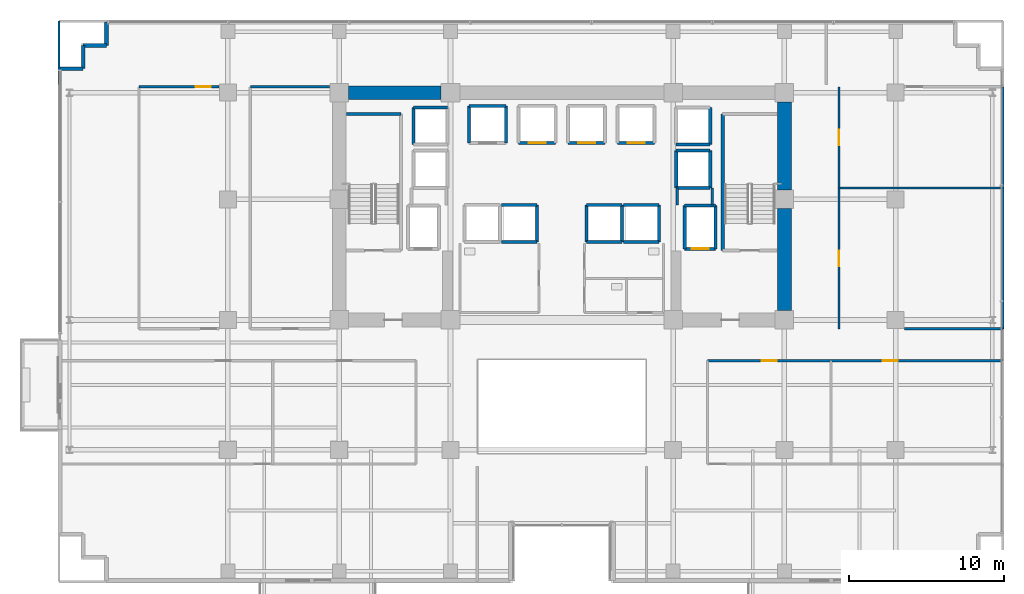
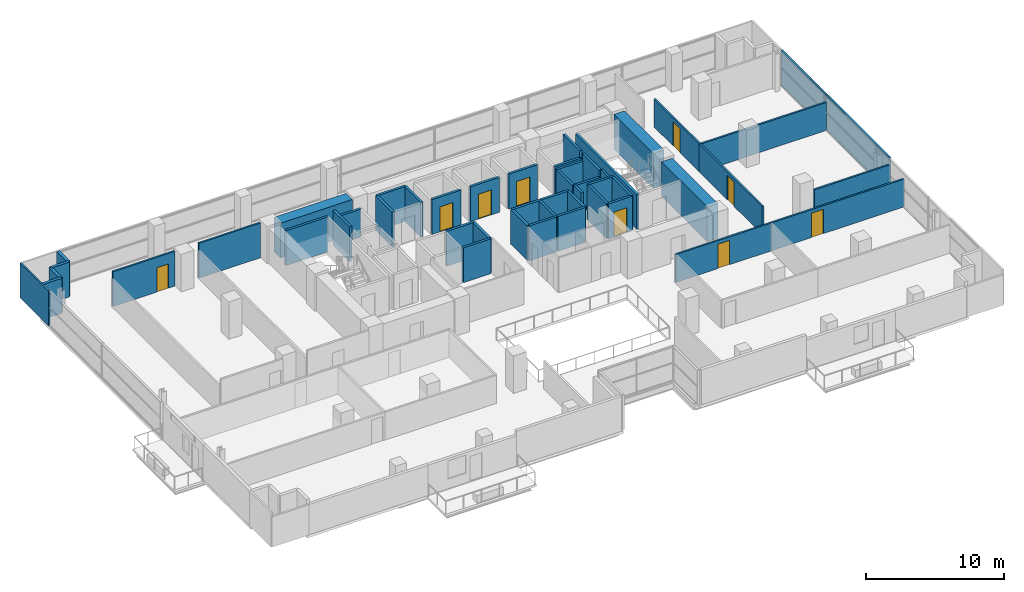
# One storey, part 25 of 30: 50 walls, 9 doors, 9 openings.
"""IFC4 building model written with IfcOpenShell, lengths in metres."""

from ifc_helpers import new_model, si_unit, direction, frame, frame_2d, origin, place, context, subcontext, project, spatial, rectangle, extrude, source, transform, mapped, material, layer, layer_set, type_object, element, fill, save


model = new_model("IFC4")

# Units and contexts
model_context = context("Model", 3, precision=1e-05, world=origin(), true_north=direction((0.0, 1.0)))
body_context = subcontext(model_context, "Body", "Model", "MODEL_VIEW")
ifc_project = project(units=[si_unit("LENGTHUNIT", "METRE"), si_unit("AREAUNIT", "SQUARE_METRE"), si_unit("VOLUMEUNIT", "CUBIC_METRE"), si_unit("PLANEANGLEUNIT", "RADIAN"), si_unit("MASSUNIT", "GRAM", prefix="KILO")], contexts=[model_context])

# Site, building, storey
site_placement = place(None, origin())
site = spatial("IfcSite", under=ifc_project, at=site_placement, CompositionType="ELEMENT")
building_placement = place(site_placement, origin())
building = spatial("IfcBuilding", under=site, at=building_placement, Name="Zarnakvel Exchange Tower", CompositionType="ELEMENT")
storey_placement = place(building_placement, frame((0.0, 0.0, 34.0)))
storey = spatial("IfcBuildingStorey", under=building, at=storey_placement, Name="L08", CompositionType="ELEMENT", Elevation=34.0)

# Walls
ifc_material_1 = material(Name="Concrete C80/95", Category="concrete")
ifc_layer_1 = layer(ifc_material_1, 0.89990234375)
ifc_layer_set_1 = layer_set([ifc_layer_1], Name="Concrete C80/95")
wall_type_1 = type_object("IfcWallType", Name="CW-C1", PredefinedType="SHEAR", material=ifc_layer_set_1)
wall_1_placement = place(storey_placement, frame((-13.800048828125, 13.5, 0.0), z_axis=(0.0, 0.0, 1.0), x_axis=(1.0, 0.0, 0.0)))
element("IfcWall", 1, at=wall_1_placement, inside=storey, type_object=wall_type_1, Name="L08 Rear Core Shear Wall N1 (CW-C1)", PredefinedType="SHEAR", context=body_context, shape_type="SweptSolid", body=[
    extrude(rectangle(XDim=6.0, YDim=0.89990234375, at=frame_2d((3.0, 0.0))), origin(), (0.0, 0.0, 1.0), 3.074951171875),
])
wall_2_placement = place(storey_placement, frame((14.39990234375, -0.60009765625, 0.0), z_axis=(0.0, 0.0, 1.0), x_axis=(0.0, 1.0, 0.0)))
element("IfcWall", 2, at=wall_2_placement, inside=storey, type_object=wall_type_1, Name="L08 Rear Core Shear Wall E1 (CW-C1)", PredefinedType="SHEAR", context=body_context, shape_type="SweptSolid", body=[
    extrude(rectangle(XDim=6.60009765625, YDim=0.89990234375, at=frame_2d((3.300048828125, 0.0))), origin(), (0.0, 0.0, 1.0), 3.074951171875),
])
wall_3_placement = place(storey_placement, frame((14.39990234375, 7.199951171875, 0.0), z_axis=(0.0, 0.0, 1.0), x_axis=(0.0, 1.0, 0.0)))
element("IfcWall", 3, at=wall_3_placement, inside=storey, type_object=wall_type_1, Name="L08 Rear Core Shear Wall E2 (CW-C1)", PredefinedType="SHEAR", context=body_context, shape_type="SweptSolid", body=[
    extrude(rectangle(XDim=5.699951171875, YDim=0.89990234375, at=frame_2d((2.85009765625, 0.0))), origin(), (0.0, 0.0, 1.0), 3.074951171875),
])
ifc_material_2 = material(Name="Precast concrete C40/50", Category="concrete")
ifc_layer_2 = layer(ifc_material_2, 0.239990234375)
ifc_layer_set_2 = layer_set([ifc_layer_2], Name="Precast concrete C40/50")
wall_type_2 = type_object("IfcWallType", Name="EW-02", PredefinedType="SOLIDWALL", material=ifc_layer_set_2)
for number, where, z_axis, x_axis, name in (
    (4, (-30.9599609375, 15.06005859375, 0.0), (0.0, 0.0, 1.0), (-1.0, 0.0, 0.0), "L08 Exterior Precast Spandrel Wall EWC-L08-03 (EW-02)"),
    (5, (-30.9599609375, 16.56005859375, 0.0), (0.0, 0.0, 1.0), (0.0, -1.0, 0.0), "L08 Exterior Precast Spandrel Wall EWC-L08-04 (EW-02)"),
    (6, (-29.4599609375, 16.56005859375, 0.0), (0.0, 0.0, 1.0), (-1.0, 0.0, 0.0), "L08 Exterior Precast Spandrel Wall EWC-L08-05 (EW-02)"),
    (7, (-29.4599609375, 18.06005859375, 0.0), (0.0, 0.0, 1.0), (0.0, -1.0, 0.0), "L08 Exterior Precast Spandrel Wall EWC-L08-06 (EW-02)"),
):
    element("IfcWall", number, at=place(storey_placement, frame(where, z_axis=z_axis, x_axis=x_axis)), inside=storey, type_object=wall_type_2, Name=name, PredefinedType="SOLIDWALL", context=body_context, shape_type="SweptSolid", body=[
        extrude(rectangle(XDim=1.5, YDim=0.239990234375, at=frame_2d((0.75, 0.0))), origin(), (0.0, 0.0, 1.0), 3.074951171875),
    ])

# Wall, opening, door
ifc_material_3 = material(Name="Fire-Rated Gypsum Stud Partition", Category="gypsum")
ifc_layer_3 = layer(ifc_material_3, 0.14990234375)
ifc_layer_set_3 = layer_set([ifc_layer_3], Name="Fire-Rated Gypsum Stud Partition")
wall_type_3 = type_object("IfcWallType", Name="PT-01", PredefinedType="PARTITIONING", material=ifc_layer_set_3)
wall_4_placement = place(storey_placement, frame((9.429931640625, -3.830078125, 0.0), z_axis=(0.0, 0.0, 1.0), x_axis=(1.0, 0.0, 0.0)))
wall_4 = element("IfcWall", 8, at=wall_4_placement, inside=storey, type_object=wall_type_3, Name="L08 Partition Wall PWALL-L08-033 (PT-01)", PredefinedType="PARTITIONING", context=body_context, shape_type="SweptSolid", body=[
    extrude(rectangle(XDim=7.985107421875, YDim=0.14990234375, at=frame_2d((3.99267578125, 0.0))), origin(), (0.0, 0.0, 1.0), 2.465087890625),
])
opening_1_placement = place(wall_4_placement, frame((3.501953125, 0.0, 0.0)))
opening_1 = element("IfcOpeningElement", 9, at=opening_1_placement, cuts=wall_4, Name="Opening D-L08-12", PredefinedType="OPENING", context=body_context, shape_type="SweptSolid", body=[
    extrude(rectangle(XDim=0.97998046875, YDim=2.14990234375, at=frame_2d((0.489990234375, 1.074951171875))), frame((0.0, 0.0849609375, 0.0), z_axis=(0.0, -1.0, 0.0), x_axis=(1.0, 0.0, 0.0)), (0.0, 0.0, 1.0), 0.169921875),
])
ifc_material_4 = material(Name="Timber Acoustic Veneer", Category="wood")
door_type_1 = type_object("IfcDoorType", Name="DT-05", OperationType="NOTDEFINED", PredefinedType="DOOR", material=ifc_material_4)
shared_shape_1 = source(origin(), body_context, "Body", "SweptSolid", [
    extrude(rectangle(XDim=0.97998046875, YDim=2.14990234375, at=frame_2d((0.489990234375, 1.074951171875))), frame((0.0, 0.02490234375, 0.0), z_axis=(0.0, -1.0, 0.0), x_axis=(1.0, 0.0, 0.0)), (0.0, 0.0, 1.0), 0.050048828125),
])
door_1_placement = place(opening_1_placement, origin())
door_1 = element("IfcDoor", 10, at=door_1_placement, inside=storey, type_object=door_type_1, Name="L08 Executive Office Door D-L08-12", OperationType="SINGLE_SWING_RIGHT", OverallHeight=2.14990234375, OverallWidth=0.97998046875, PredefinedType="DOOR", context=body_context, shape_type="MappedRepresentation", body=[
    mapped(shared_shape_1, transform((0.0, 0.0, 0.0), x_axis=(1.0, 0.0, 0.0), y_axis=(0.0, 1.0, 0.0), z_axis=(0.0, 0.0, 1.0), scale=1.0)),
])
fill(opening_1, door_1)

wall_5_placement = place(storey_placement, frame((17.4150390625, -3.830078125, 0.0), z_axis=(0.0, 0.0, 1.0), x_axis=(1.0, 0.0, 0.0)))
wall_5 = element("IfcWall", 11, at=wall_5_placement, inside=storey, type_object=wall_type_3, Name="L08 Partition Wall PWALL-L08-037 (PT-01)", PredefinedType="PARTITIONING", context=body_context, shape_type="SweptSolid", body=[
    extrude(rectangle(XDim=11.114990234375, YDim=0.14990234375, at=frame_2d((5.5576171875, 0.0))), origin(), (0.0, 0.0, 1.0), 2.465087890625),
])
opening_2_placement = place(wall_5_placement, frame((3.343017578125, 0.0, 0.0)))
opening_2 = element("IfcOpeningElement", 12, at=opening_2_placement, cuts=wall_5, Name="Opening D-L08-13", PredefinedType="OPENING", context=body_context, shape_type="SweptSolid", body=[
    extrude(rectangle(XDim=0.97998046875, YDim=2.14990234375, at=frame_2d((0.489990234375, 1.074951171875))), frame((0.0, 0.0849609375, 0.0), z_axis=(0.0, -1.0, 0.0), x_axis=(1.0, 0.0, 0.0)), (0.0, 0.0, 1.0), 0.169921875),
])
door_2_placement = place(opening_2_placement, origin())
door_2 = element("IfcDoor", 13, at=door_2_placement, inside=storey, type_object=door_type_1, Name="L08 Meeting Room Door D-L08-13", OperationType="SINGLE_SWING_LEFT", OverallHeight=2.14990234375, OverallWidth=0.97998046875, PredefinedType="DOOR", context=body_context, shape_type="MappedRepresentation", body=[
    mapped(shared_shape_1, transform((0.0, 0.0, 0.0), x_axis=(1.0, 0.0, 0.0), y_axis=(0.0, 1.0, 0.0), z_axis=(0.0, 0.0, 1.0), scale=1.0)),
])
fill(opening_2, door_2)

wall_6_placement = place(storey_placement, frame((-27.346435546875, 13.8798828125, 0.0), z_axis=(0.0, 0.0, 1.0), x_axis=(1.0, 0.0, 0.0)))
wall_6 = element("IfcWall", 14, at=wall_6_placement, inside=storey, type_object=wall_type_3, Name="L08 Partition Wall PWALL-L08-043 (PT-01)", PredefinedType="PARTITIONING", context=body_context, shape_type="SweptSolid", body=[
    extrude(rectangle(XDim=5.176513671875, YDim=0.14990234375, at=frame_2d((2.58837890625, 0.0))), origin(), (0.0, 0.0, 1.0), 3.074951171875),
])
opening_3_placement = place(wall_6_placement, frame((3.66650390625, 0.0, 0.0)))
opening_3 = element("IfcOpeningElement", 15, at=opening_3_placement, cuts=wall_6, Name="Opening D-L08-19", PredefinedType="OPENING", context=body_context, shape_type="SweptSolid", body=[
    extrude(rectangle(XDim=0.97998046875, YDim=2.14990234375, at=frame_2d((0.489990234375, 1.074951171875))), frame((0.0, 0.0849609375, 0.0), z_axis=(0.0, -1.0, 0.0), x_axis=(1.0, 0.0, 0.0)), (0.0, 0.0, 1.0), 0.169921875),
])
door_3_placement = place(opening_3_placement, origin())
door_3 = element("IfcDoor", 16, at=door_3_placement, inside=storey, type_object=door_type_1, Name="L08 Settlement Office Door D-L08-19", OperationType="SINGLE_SWING_LEFT", OverallHeight=2.14990234375, OverallWidth=0.97998046875, PredefinedType="DOOR", context=body_context, shape_type="MappedRepresentation", body=[
    mapped(shared_shape_1, transform((0.0, 0.0, 0.0), x_axis=(1.0, 0.0, 0.0), y_axis=(0.0, 1.0, 0.0), z_axis=(0.0, 0.0, 1.0), scale=1.0)),
])
fill(opening_3, door_3)

# Walls
wall_7_placement = place(storey_placement, frame((-20.153564453125, 13.8798828125, 0.0), z_axis=(0.0, 0.0, 1.0), x_axis=(1.0, 0.0, 0.0)))
element("IfcWall", 17, at=wall_7_placement, inside=storey, type_object=wall_type_3, Name="L08 Partition Wall PWALL-L08-047 (PT-01)", PredefinedType="PARTITIONING", context=body_context, shape_type="SweptSolid", body=[
    extrude(rectangle(XDim=5.133544921875, YDim=0.14990234375, at=frame_2d((2.56689453125, 0.0))), origin(), (0.0, 0.0, 1.0), 3.074951171875),
])
wall_8_placement = place(storey_placement, frame((28.530029296875, -1.77001953125, 0.0), z_axis=(0.0, 0.0, 1.0), x_axis=(-1.0, 0.0, 0.0)))
element("IfcWall", 18, at=wall_8_placement, inside=storey, type_object=wall_type_3, Name="L08 Partition Wall PWALL-L08-048 (PT-01)", PredefinedType="PARTITIONING", context=body_context, shape_type="SweptSolid", body=[
    extrude(rectangle(XDim=6.360107421875, YDim=0.14990234375, at=frame_2d((3.18017578125, 0.0))), origin(), (0.0, 0.0, 1.0), 2.465087890625),
])
wall_9_placement = place(storey_placement, frame((17.929931640625, 7.33251953125, 0.0), z_axis=(0.0, 0.0, 1.0), x_axis=(1.0, 0.0, 0.0)))
element("IfcWall", 19, at=wall_9_placement, inside=storey, type_object=wall_type_3, Name="L08 Partition Wall PWALL-L08-049 (PT-01)", PredefinedType="PARTITIONING", context=body_context, shape_type="SweptSolid", body=[
    extrude(rectangle(XDim=10.60009765625, YDim=0.14990234375, at=frame_2d((5.300048828125, 0.0))), origin(), (0.0, 0.0, 1.0), 2.465087890625),
])

# Wall, opening, door
wall_10_placement = place(storey_placement, frame((17.929931640625, -1.77001953125, 0.0), z_axis=(0.0, 0.0, 1.0), x_axis=(0.0, 1.0, 0.0)))
wall_10 = element("IfcWall", 20, at=wall_10_placement, inside=storey, type_object=wall_type_3, Name="L08 Partition Wall PWALL-L08-050 (PT-01)", PredefinedType="PARTITIONING", context=body_context, shape_type="SweptSolid", body=[
    extrude(rectangle(XDim=9.1025390625, YDim=0.14990234375, at=frame_2d((4.55126953125, 0.0))), origin(), (0.0, 0.0, 1.0), 2.465087890625),
])
opening_4_placement = place(wall_10_placement, frame((4.06103515625, 0.0, 0.0)))
opening_4 = element("IfcOpeningElement", 21, at=opening_4_placement, cuts=wall_10, Name="Opening D-L08-17", PredefinedType="OPENING", context=body_context, shape_type="SweptSolid", body=[
    extrude(rectangle(XDim=0.97998046875, YDim=2.14990234375, at=frame_2d((0.489990234375, 1.074951171875))), frame((0.0, 0.0849609375, 0.0), z_axis=(0.0, -1.0, 0.0), x_axis=(1.0, 0.0, 0.0)), (0.0, 0.0, 1.0), 0.169921875),
])
door_4_placement = place(opening_4_placement, origin())
door_4 = element("IfcDoor", 22, at=door_4_placement, inside=storey, type_object=door_type_1, Name="L08 Breakout Pantry Door D-L08-17", OperationType="SINGLE_SWING_LEFT", OverallHeight=2.14990234375, OverallWidth=0.97998046875, PredefinedType="DOOR", context=body_context, shape_type="MappedRepresentation", body=[
    mapped(shared_shape_1, transform((0.0, 0.0, 0.0), x_axis=(1.0, 0.0, 0.0), y_axis=(0.0, 1.0, 0.0), z_axis=(0.0, 0.0, 1.0), scale=1.0)),
])
fill(opening_4, door_4)

# Wall
wall_11_placement = place(storey_placement, frame((28.530029296875, 7.33251953125, 0.0), z_axis=(0.0, 0.0, 1.0), x_axis=(0.0, -1.0, 0.0)))
element("IfcWall", 23, at=wall_11_placement, inside=storey, type_object=wall_type_3, Name="L08 Partition Wall PWALL-L08-051 (PT-01)", PredefinedType="PARTITIONING", context=body_context, shape_type="SweptSolid", body=[
    extrude(rectangle(XDim=9.1025390625, YDim=0.14990234375, at=frame_2d((4.55126953125, 0.0))), origin(), (0.0, 0.0, 1.0), 3.074951171875),
])

# Wall, opening, door
wall_12_placement = place(storey_placement, frame((17.929931640625, 7.33251953125, 0.0), z_axis=(0.0, 0.0, 1.0), x_axis=(0.0, 1.0, 0.0)))
wall_12 = element("IfcWall", 24, at=wall_12_placement, inside=storey, type_object=wall_type_3, Name="L08 Partition Wall PWALL-L08-053 (PT-01)", PredefinedType="PARTITIONING", context=body_context, shape_type="SweptSolid", body=[
    extrude(rectangle(XDim=6.54736328125, YDim=0.14990234375, at=frame_2d((3.273681640625, 0.0))), origin(), (0.0, 0.0, 1.0), 2.465087890625),
])
opening_5_placement = place(wall_12_placement, frame((2.783447265625, 0.0, 0.0)))
opening_5 = element("IfcOpeningElement", 25, at=opening_5_placement, cuts=wall_12, Name="Opening D-L08-18", PredefinedType="OPENING", context=body_context, shape_type="SweptSolid", body=[
    extrude(rectangle(XDim=0.97998046875, YDim=2.14990234375, at=frame_2d((0.489990234375, 1.074951171875))), frame((0.0, 0.0849609375, 0.0), z_axis=(0.0, -1.0, 0.0), x_axis=(1.0, 0.0, 0.0)), (0.0, 0.0, 1.0), 0.169921875),
])
door_5_placement = place(opening_5_placement, origin())
door_5 = element("IfcDoor", 26, at=door_5_placement, inside=storey, type_object=door_type_1, Name="L08 Settlement Office Door D-L08-18", OperationType="SINGLE_SWING_RIGHT", OverallHeight=2.14990234375, OverallWidth=0.97998046875, PredefinedType="DOOR", context=body_context, shape_type="MappedRepresentation", body=[
    mapped(shared_shape_1, transform((0.0, 0.0, 0.0), x_axis=(1.0, 0.0, 0.0), y_axis=(0.0, 1.0, 0.0), z_axis=(0.0, 0.0, 1.0), scale=1.0)),
])
fill(opening_5, door_5)

# Walls
wall_13_placement = place(storey_placement, frame((28.530029296875, 13.8798828125, 0.0), z_axis=(0.0, 0.0, 1.0), x_axis=(0.0, -1.0, 0.0)))
element("IfcWall", 27, at=wall_13_placement, inside=storey, type_object=wall_type_3, Name="L08 Partition Wall PWALL-L08-054 (PT-01)", PredefinedType="PARTITIONING", context=body_context, shape_type="SweptSolid", body=[
    extrude(rectangle(XDim=6.54736328125, YDim=0.14990234375, at=frame_2d((3.273681640625, 0.0))), origin(), (0.0, 0.0, 1.0), 3.074951171875),
])
wall_14_placement = place(storey_placement, frame((-32.530029296875, 14.030029296875, 0.0), z_axis=(0.0, 0.0, 1.0), x_axis=(0.0, 1.0, 0.0)))
element("IfcWall", 28, at=wall_14_placement, inside=storey, type_object=wall_type_3, Name="L08 Partition Wall PWALL-L08-056 (PT-01)", PredefinedType="PARTITIONING", context=body_context, shape_type="SweptSolid", body=[
    extrude(rectangle(XDim=4.099853515625, YDim=0.14990234375, at=frame_2d((2.0498046875, 0.0))), origin(), (0.0, 0.0, 1.0), 3.074951171875),
])
ifc_layer_4 = layer(ifc_material_3, 0.179931640625)
ifc_layer_set_4 = layer_set([ifc_layer_4], Name="Fire-Rated Gypsum Stud Partition")
wall_type_4 = type_object("IfcWallType", Name="PT-02", PredefinedType="PARTITIONING", material=ifc_layer_set_4)
wall_15_placement = place(storey_placement, frame((7.469970703125, 6.239990234375, 0.0), z_axis=(0.0, 0.0, 1.0), x_axis=(0.0, 1.0, 0.0)))
element("IfcWall", 29, at=wall_15_placement, inside=storey, type_object=wall_type_4, Name="L08 Partition Wall PWALL-L08-009 (PT-02)", PredefinedType="PARTITIONING", context=body_context, shape_type="SweptSolid", body=[
    extrude(rectangle(XDim=1.090087890625, YDim=0.179931640625, at=frame_2d((0.544921875, 0.0))), origin(), (0.0, 0.0, 1.0), 2.465087890625),
])
wall_16_placement = place(storey_placement, frame((9.72998046875, 7.330078125, 0.0), z_axis=(0.0, 0.0, 1.0), x_axis=(0.0, -1.0, 0.0)))
element("IfcWall", 30, at=wall_16_placement, inside=storey, type_object=wall_type_4, Name="L08 Partition Wall PWALL-L08-010 (PT-02)", PredefinedType="PARTITIONING", context=body_context, shape_type="SweptSolid", body=[
    extrude(rectangle(XDim=1.090087890625, YDim=0.179931640625, at=frame_2d((0.544921875, 0.0))), origin(), (0.0, 0.0, 1.0), 3.074951171875),
])

# Wall, opening, door
ifc_material_5 = material(Name="Concrete C40/50", Category="concrete")
ifc_layer_5 = layer(ifc_material_5, 0.199951171875)
ifc_layer_set_5 = layer_set([ifc_layer_5], Name="Concrete C40/50")
wall_type_5 = type_object("IfcWallType", Name="SW-01", PredefinedType="SOLIDWALL", material=ifc_layer_set_5)
wall_17_placement = place(storey_placement, frame((9.949951171875, 3.39990234375, 0.0), z_axis=(0.0, 0.0, 1.0), x_axis=(-1.0, 0.0, 0.0)))
wall_17 = element("IfcWall", 31, at=wall_17_placement, inside=storey, type_object=wall_type_5, Name="L08 FL-02 Hoistway Wall South", PredefinedType="SOLIDWALL", context=body_context, shape_type="SweptSolid", body=[
    extrude(rectangle(XDim=2.0, YDim=0.199951171875, at=frame_2d((1.0, 0.0))), origin(), (0.0, 0.0, 1.0), 3.074951171875),
])
opening_6_placement = place(wall_17_placement, frame((0.449951171875, 0.0, 0.0)))
opening_6 = element("IfcOpeningElement", 32, at=opening_6_placement, cuts=wall_17, Name="Opening LD-FL-02-L08", PredefinedType="OPENING", context=body_context, shape_type="SweptSolid", body=[
    extrude(rectangle(XDim=1.10009765625, YDim=2.199951171875, at=frame_2d((0.550048828125, 1.10009765625))), frame((0.0, 0.10986328125, 0.0), z_axis=(0.0, -1.0, 0.0), x_axis=(1.0, 0.0, 0.0)), (0.0, 0.0, 1.0), 0.219970703125),
])
ifc_material_6 = material(Name="Brushed Stainless Steel", Category="steel")
door_type_2 = type_object("IfcDoorType", Name="LDT-01", OperationType="NOTDEFINED", PredefinedType="DOOR", material=ifc_material_6)
shared_shape_2 = source(origin(), body_context, "Body", "SweptSolid", [
    extrude(rectangle(XDim=1.10009765625, YDim=2.199951171875, at=frame_2d((0.550048828125, 1.10009765625))), frame((0.0, 0.02490234375, 0.0), z_axis=(0.0, -1.0, 0.0), x_axis=(1.0, 0.0, 0.0)), (0.0, 0.0, 1.0), 0.050048828125),
])
door_6_placement = place(opening_6_placement, origin())
door_6 = element("IfcDoor", 33, at=door_6_placement, inside=storey, type_object=door_type_2, Name="L08 FL-02 Lift Landing Door LD-FL-02-L08", OperationType="DOUBLE_DOOR_SLIDING", OverallHeight=2.199951171875, OverallWidth=1.10009765625, PredefinedType="DOOR", context=body_context, shape_type="MappedRepresentation", body=[
    mapped(shared_shape_2, transform((0.0, 0.0, 0.0), x_axis=(1.0, 0.0, 0.0), y_axis=(0.0, 1.0, 0.0), z_axis=(0.0, 0.0, 1.0), scale=1.0)),
])
fill(opening_6, door_6)

# Walls
wall_18_placement = place(storey_placement, frame((7.949951171875, 6.199951171875, 0.0), z_axis=(0.0, 0.0, 1.0), x_axis=(1.0, 0.0, 0.0)))
element("IfcWall", 34, at=wall_18_placement, inside=storey, type_object=wall_type_5, Name="L08 FL-02 Hoistway Wall North", PredefinedType="SOLIDWALL", context=body_context, shape_type="SweptSolid", body=[
    extrude(rectangle(XDim=2.0, YDim=0.199951171875, at=frame_2d((1.0, 0.0))), origin(), (0.0, 0.0, 1.0), 3.074951171875),
])
for number, where, z_axis, x_axis, name in (
    (35, (7.949951171875, 3.39990234375, 0.0), (0.0, 0.0, 1.0), (0.0, 1.0, 0.0), "L08 FL-02 Hoistway Wall West"),
    (36, (9.949951171875, 6.199951171875, 0.0), (0.0, 0.0, 1.0), (0.0, -1.0, 0.0), "L08 FL-02 Hoistway Wall East"),
):
    element("IfcWall", number, at=place(storey_placement, frame(where, z_axis=z_axis, x_axis=x_axis)), inside=storey, type_object=wall_type_5, Name=name, PredefinedType="SOLIDWALL", context=body_context, shape_type="SweptSolid", body=[
        extrude(rectangle(XDim=2.800048828125, YDim=0.199951171875, at=frame_2d((1.39990234375, 0.0))), origin(), (0.0, 0.0, 1.0), 3.074951171875),
    ])
for number, where, z_axis, x_axis, name in (
    (37, (-6.0, 12.64990234375, 0.0), (0.0, 0.0, 1.0), (1.0, 0.0, 0.0), "L08 PL-01 Hoistway Wall North"),
    (38, (-6.0, 10.25, 0.0), (0.0, 0.0, 1.0), (0.0, 1.0, 0.0), "L08 PL-01 Hoistway Wall West"),
    (39, (-3.60009765625, 12.64990234375, 0.0), (0.0, 0.0, 1.0), (0.0, -1.0, 0.0), "L08 PL-01 Hoistway Wall East"),
):
    element("IfcWall", number, at=place(storey_placement, frame(where, z_axis=z_axis, x_axis=x_axis)), inside=storey, type_object=wall_type_5, Name=name, PredefinedType="SOLIDWALL", context=body_context, shape_type="SweptSolid", body=[
        extrude(rectangle(XDim=2.39990234375, YDim=0.199951171875, at=frame_2d((1.199951171875, 0.0))), origin(), (0.0, 0.0, 1.0), 3.074951171875),
    ])

# Wall, opening, door
wall_19_placement = place(storey_placement, frame((-0.39990234375, 10.25, 0.0), z_axis=(0.0, 0.0, 1.0), x_axis=(-1.0, 0.0, 0.0)))
wall_19 = element("IfcWall", 40, at=wall_19_placement, inside=storey, type_object=wall_type_5, Name="L08 PL-02 Hoistway Wall South", PredefinedType="SOLIDWALL", context=body_context, shape_type="SweptSolid", body=[
    extrude(rectangle(XDim=2.400146484375, YDim=0.199951171875, at=frame_2d((1.2001953125, 0.0))), origin(), (0.0, 0.0, 1.0), 3.074951171875),
])
opening_7_placement = place(wall_19_placement, frame((0.64990234375, 0.0, 0.0)))
opening_7 = element("IfcOpeningElement", 41, at=opening_7_placement, cuts=wall_19, Name="Opening LD-PL-02-L08", PredefinedType="OPENING", context=body_context, shape_type="SweptSolid", body=[
    extrude(rectangle(XDim=1.10009765625, YDim=2.199951171875, at=frame_2d((0.550048828125, 1.10009765625))), frame((0.0, 0.10986328125, 0.0), z_axis=(0.0, -1.0, 0.0), x_axis=(1.0, 0.0, 0.0)), (0.0, 0.0, 1.0), 0.219970703125),
])
ifc_material_7 = material(Name="Architectural Bronze Anodised Aluminium", Category="aluminium")
door_type_3 = type_object("IfcDoorType", Name="LDT-02", OperationType="NOTDEFINED", PredefinedType="DOOR", material=ifc_material_7)
door_7_placement = place(opening_7_placement, origin())
door_7 = element("IfcDoor", 42, at=door_7_placement, inside=storey, type_object=door_type_3, Name="L08 PL-02 Lift Landing Door LD-PL-02-L08", OperationType="DOUBLE_DOOR_SLIDING", OverallHeight=2.199951171875, OverallWidth=1.10009765625, PredefinedType="DOOR", context=body_context, shape_type="MappedRepresentation", body=[
    mapped(shared_shape_2, transform((0.0, 0.0, 0.0), x_axis=(1.0, 0.0, 0.0), y_axis=(0.0, 1.0, 0.0), z_axis=(0.0, 0.0, 1.0), scale=1.0)),
])
fill(opening_7, door_7)

wall_20_placement = place(storey_placement, frame((2.800048828125, 10.25, 0.0), z_axis=(0.0, 0.0, 1.0), x_axis=(-1.0, 0.0, 0.0)))
wall_20 = element("IfcWall", 43, at=wall_20_placement, inside=storey, type_object=wall_type_5, Name="L08 PL-03 Hoistway Wall South", PredefinedType="SOLIDWALL", context=body_context, shape_type="SweptSolid", body=[
    extrude(rectangle(XDim=2.400146484375, YDim=0.199951171875, at=frame_2d((1.2001953125, 0.0))), origin(), (0.0, 0.0, 1.0), 3.074951171875),
])
opening_8_placement = place(wall_20_placement, frame((0.64990234375, 0.0, 0.0)))
opening_8 = element("IfcOpeningElement", 44, at=opening_8_placement, cuts=wall_20, Name="Opening LD-PL-03-L08", PredefinedType="OPENING", context=body_context, shape_type="SweptSolid", body=[
    extrude(rectangle(XDim=1.10009765625, YDim=2.199951171875, at=frame_2d((0.550048828125, 1.10009765625))), frame((0.0, 0.10986328125, 0.0), z_axis=(0.0, -1.0, 0.0), x_axis=(1.0, 0.0, 0.0)), (0.0, 0.0, 1.0), 0.219970703125),
])
door_8_placement = place(opening_8_placement, origin())
door_8 = element("IfcDoor", 45, at=door_8_placement, inside=storey, type_object=door_type_3, Name="L08 PL-03 Lift Landing Door LD-PL-03-L08", OperationType="DOUBLE_DOOR_SLIDING", OverallHeight=2.199951171875, OverallWidth=1.10009765625, PredefinedType="DOOR", context=body_context, shape_type="MappedRepresentation", body=[
    mapped(shared_shape_2, transform((0.0, 0.0, 0.0), x_axis=(1.0, 0.0, 0.0), y_axis=(0.0, 1.0, 0.0), z_axis=(0.0, 0.0, 1.0), scale=1.0)),
])
fill(opening_8, door_8)

wall_21_placement = place(storey_placement, frame((6.0, 10.25, 0.0), z_axis=(0.0, 0.0, 1.0), x_axis=(-1.0, 0.0, 0.0)))
wall_21 = element("IfcWall", 46, at=wall_21_placement, inside=storey, type_object=wall_type_5, Name="L08 PL-04 Hoistway Wall South", PredefinedType="SOLIDWALL", context=body_context, shape_type="SweptSolid", body=[
    extrude(rectangle(XDim=2.39990234375, YDim=0.199951171875, at=frame_2d((1.199951171875, 0.0))), origin(), (0.0, 0.0, 1.0), 3.074951171875),
])
opening_9_placement = place(wall_21_placement, frame((0.64990234375, 0.0, 0.0)))
opening_9 = element("IfcOpeningElement", 47, at=opening_9_placement, cuts=wall_21, Name="Opening LD-PL-04-L08", PredefinedType="OPENING", context=body_context, shape_type="SweptSolid", body=[
    extrude(rectangle(XDim=1.10009765625, YDim=2.199951171875, at=frame_2d((0.550048828125, 1.10009765625))), frame((0.0, 0.10986328125, 0.0), z_axis=(0.0, -1.0, 0.0), x_axis=(1.0, 0.0, 0.0)), (0.0, 0.0, 1.0), 0.219970703125),
])
door_9_placement = place(opening_9_placement, origin())
door_9 = element("IfcDoor", 48, at=door_9_placement, inside=storey, type_object=door_type_3, Name="L08 PL-04 Lift Landing Door LD-PL-04-L08", OperationType="DOUBLE_DOOR_SLIDING", OverallHeight=2.199951171875, OverallWidth=1.10009765625, PredefinedType="DOOR", context=body_context, shape_type="MappedRepresentation", body=[
    mapped(shared_shape_2, transform((0.0, 0.0, 0.0), x_axis=(1.0, 0.0, 0.0), y_axis=(0.0, 1.0, 0.0), z_axis=(0.0, 0.0, 1.0), scale=1.0)),
])
fill(opening_9, door_9)

# Walls
for number, where, z_axis, x_axis, name in (
    (49, (-1.60009765625, 3.85009765625, 0.0), (0.0, 0.0, 1.0), (-1.0, 0.0, 0.0), "L08 PL-06 Hoistway Wall South"),
    (50, (-3.89990234375, 6.25, 0.0), (0.0, 0.0, 1.0), (1.0, 0.0, 0.0), "L08 PL-06 Hoistway Wall North"),
):
    element("IfcWall", number, at=place(storey_placement, frame(where, z_axis=z_axis, x_axis=x_axis)), inside=storey, type_object=wall_type_5, Name=name, PredefinedType="SOLIDWALL", context=body_context, shape_type="SweptSolid", body=[
        extrude(rectangle(XDim=2.2998046875, YDim=0.199951171875, at=frame_2d((1.14990234375, 0.0))), origin(), (0.0, 0.0, 1.0), 3.074951171875),
    ])
wall_22_placement = place(storey_placement, frame((-1.60009765625, 6.25, 0.0), z_axis=(0.0, 0.0, 1.0), x_axis=(0.0, -1.0, 0.0)))
element("IfcWall", 51, at=wall_22_placement, inside=storey, type_object=wall_type_5, Name="L08 PL-06 Hoistway Wall East", PredefinedType="SOLIDWALL", context=body_context, shape_type="SweptSolid", body=[
    extrude(rectangle(XDim=2.39990234375, YDim=0.199951171875, at=frame_2d((1.199951171875, 0.0))), origin(), (0.0, 0.0, 1.0), 3.074951171875),
])
for number, where, z_axis, x_axis, name in (
    (52, (3.89990234375, 3.85009765625, 0.0), (0.0, 0.0, 1.0), (-1.0, 0.0, 0.0), "L08 PL-07 Hoistway Wall South"),
    (53, (1.60009765625, 6.25, 0.0), (0.0, 0.0, 1.0), (1.0, 0.0, 0.0), "L08 PL-07 Hoistway Wall North"),
):
    element("IfcWall", number, at=place(storey_placement, frame(where, z_axis=z_axis, x_axis=x_axis)), inside=storey, type_object=wall_type_5, Name=name, PredefinedType="SOLIDWALL", context=body_context, shape_type="SweptSolid", body=[
        extrude(rectangle(XDim=2.2998046875, YDim=0.199951171875, at=frame_2d((1.14990234375, 0.0))), origin(), (0.0, 0.0, 1.0), 3.074951171875),
    ])
for number, where, z_axis, x_axis, name in (
    (54, (1.60009765625, 3.85009765625, 0.0), (0.0, 0.0, 1.0), (0.0, 1.0, 0.0), "L08 PL-07 Hoistway Wall West"),
    (55, (3.89990234375, 6.25, 0.0), (0.0, 0.0, 1.0), (0.0, -1.0, 0.0), "L08 PL-07 Hoistway Wall East"),
):
    element("IfcWall", number, at=place(storey_placement, frame(where, z_axis=z_axis, x_axis=x_axis)), inside=storey, type_object=wall_type_5, Name=name, PredefinedType="SOLIDWALL", context=body_context, shape_type="SweptSolid", body=[
        extrude(rectangle(XDim=2.39990234375, YDim=0.199951171875, at=frame_2d((1.199951171875, 0.0))), origin(), (0.0, 0.0, 1.0), 3.074951171875),
    ])
for number, where, z_axis, x_axis, name in (
    (56, (6.300048828125, 3.85009765625, 0.0), (0.0, 0.0, 1.0), (-1.0, 0.0, 0.0), "L08 PL-08 Hoistway Wall South"),
    (57, (4.0, 6.25, 0.0), (0.0, 0.0, 1.0), (1.0, 0.0, 0.0), "L08 PL-08 Hoistway Wall North"),
):
    element("IfcWall", number, at=place(storey_placement, frame(where, z_axis=z_axis, x_axis=x_axis)), inside=storey, type_object=wall_type_5, Name=name, PredefinedType="SOLIDWALL", context=body_context, shape_type="SweptSolid", body=[
        extrude(rectangle(XDim=2.300048828125, YDim=0.199951171875, at=frame_2d((1.14990234375, 0.0))), origin(), (0.0, 0.0, 1.0), 3.074951171875),
    ])
wall_23_placement = place(storey_placement, frame((6.300048828125, 6.25, 0.0), z_axis=(0.0, 0.0, 1.0), x_axis=(0.0, -1.0, 0.0)))
element("IfcWall", 58, at=wall_23_placement, inside=storey, type_object=wall_type_5, Name="L08 PL-08 Hoistway Wall East", PredefinedType="SOLIDWALL", context=body_context, shape_type="SweptSolid", body=[
    extrude(rectangle(XDim=2.39990234375, YDim=0.199951171875, at=frame_2d((1.199951171875, 0.0))), origin(), (0.0, 0.0, 1.0), 3.074951171875),
])
wall_24_placement = place(storey_placement, frame((-9.60009765625, 12.550048828125, 0.0), z_axis=(0.0, 0.0, 1.0), x_axis=(1.0, 0.0, 0.0)))
element("IfcWall", 59, at=wall_24_placement, inside=storey, type_object=wall_type_5, Name="L08 PL-10 Hoistway Wall North", PredefinedType="SOLIDWALL", context=body_context, shape_type="SweptSolid", body=[
    extrude(rectangle(XDim=2.2001953125, YDim=0.199951171875, at=frame_2d((1.10009765625, 0.0))), origin(), (0.0, 0.0, 1.0), 2.465087890625),
])
wall_25_placement = place(storey_placement, frame((-9.60009765625, 10.14990234375, 0.0), z_axis=(0.0, 0.0, 1.0), x_axis=(0.0, 1.0, 0.0)))
element("IfcWall", 60, at=wall_25_placement, inside=storey, type_object=wall_type_5, Name="L08 PL-10 Hoistway Wall West", PredefinedType="SOLIDWALL", context=body_context, shape_type="SweptSolid", body=[
    extrude(rectangle(XDim=2.400146484375, YDim=0.199951171875, at=frame_2d((1.2001953125, 0.0))), origin(), (0.0, 0.0, 1.0), 3.074951171875),
])
for number, where, z_axis, x_axis, name in (
    (61, (9.60009765625, 7.35009765625, 0.0), (0.0, 0.0, 1.0), (-1.0, 0.0, 0.0), "L08 PL-11 Hoistway Wall South"),
    (62, (7.39990234375, 9.75, 0.0), (0.0, 0.0, 1.0), (1.0, 0.0, 0.0), "L08 PL-11 Hoistway Wall North"),
):
    element("IfcWall", number, at=place(storey_placement, frame(where, z_axis=z_axis, x_axis=x_axis)), inside=storey, type_object=wall_type_5, Name=name, PredefinedType="SOLIDWALL", context=body_context, shape_type="SweptSolid", body=[
        extrude(rectangle(XDim=2.2001953125, YDim=0.199951171875, at=frame_2d((1.10009765625, 0.0))), origin(), (0.0, 0.0, 1.0), 2.465087890625),
    ])
wall_26_placement = place(storey_placement, frame((7.39990234375, 7.35009765625, 0.0), z_axis=(0.0, 0.0, 1.0), x_axis=(0.0, 1.0, 0.0)))
element("IfcWall", 63, at=wall_26_placement, inside=storey, type_object=wall_type_5, Name="L08 PL-11 Hoistway Wall West", PredefinedType="SOLIDWALL", context=body_context, shape_type="SweptSolid", body=[
    extrude(rectangle(XDim=2.39990234375, YDim=0.199951171875, at=frame_2d((1.199951171875, 0.0))), origin(), (0.0, 0.0, 1.0), 2.465087890625),
])
wall_27_placement = place(storey_placement, frame((9.60009765625, 9.75, 0.0), z_axis=(0.0, 0.0, 1.0), x_axis=(0.0, -1.0, 0.0)))
element("IfcWall", 64, at=wall_27_placement, inside=storey, type_object=wall_type_5, Name="L08 PL-11 Hoistway Wall East", PredefinedType="SOLIDWALL", context=body_context, shape_type="SweptSolid", body=[
    extrude(rectangle(XDim=2.39990234375, YDim=0.199951171875, at=frame_2d((1.199951171875, 0.0))), origin(), (0.0, 0.0, 1.0), 3.074951171875),
])
wall_28_placement = place(storey_placement, frame((9.60009765625, 10.14990234375, 0.0), z_axis=(0.0, 0.0, 1.0), x_axis=(-1.0, 0.0, 0.0)))
element("IfcWall", 65, at=wall_28_placement, inside=storey, type_object=wall_type_5, Name="L08 PL-12 Hoistway Wall South", PredefinedType="SOLIDWALL", context=body_context, shape_type="SweptSolid", body=[
    extrude(rectangle(XDim=2.2001953125, YDim=0.199951171875, at=frame_2d((1.10009765625, 0.0))), origin(), (0.0, 0.0, 1.0), 2.465087890625),
])
wall_29_placement = place(storey_placement, frame((9.60009765625, 12.550048828125, 0.0), z_axis=(0.0, 0.0, 1.0), x_axis=(0.0, -1.0, 0.0)))
element("IfcWall", 66, at=wall_29_placement, inside=storey, type_object=wall_type_5, Name="L08 PL-12 Hoistway Wall East", PredefinedType="SOLIDWALL", context=body_context, shape_type="SweptSolid", body=[
    extrude(rectangle(XDim=2.400146484375, YDim=0.199951171875, at=frame_2d((1.2001953125, 0.0))), origin(), (0.0, 0.0, 1.0), 3.074951171875),
])
ifc_layer_6 = layer(ifc_material_5, 0.199951171875)
ifc_layer_set_6 = layer_set([ifc_layer_6], Name="Concrete C40/50")
wall_type_6 = type_object("IfcWallType", Name="SW-02", PredefinedType="SOLIDWALL", material=ifc_layer_set_6)
wall_30_placement = place(storey_placement, frame((-13.929931640625, 12.1298828125, 0.0), z_axis=(0.0, 0.0, 1.0), x_axis=(1.0, 0.0, 0.0)))
element("IfcWall", 67, at=wall_30_placement, inside=storey, type_object=wall_type_6, Name="L08 Stairwell Core Wall PWALL-L08-002 (SW-02)", PredefinedType="SOLIDWALL", context=body_context, shape_type="SweptSolid", body=[
    extrude(rectangle(XDim=3.52001953125, YDim=0.199951171875, at=frame_2d((1.760009765625, 0.0))), origin(), (0.0, 0.0, 1.0), 3.074951171875),
])
wall_31_placement = place(storey_placement, frame((10.409912109375, 3.2900390625, 0.0), z_axis=(0.0, 0.0, 1.0), x_axis=(0.0, 1.0, 0.0)))
element("IfcWall", 68, at=wall_31_placement, inside=storey, type_object=wall_type_6, Name="L08 Stairwell Core Wall PWALL-L08-006 (SW-02)", PredefinedType="SOLIDWALL", context=body_context, shape_type="SweptSolid", body=[
    extrude(rectangle(XDim=8.83984375, YDim=0.199951171875, at=frame_2d((4.419921875, 0.0))), origin(), (0.0, 0.0, 1.0), 3.074951171875),
])

save(model, "model.ifc")
